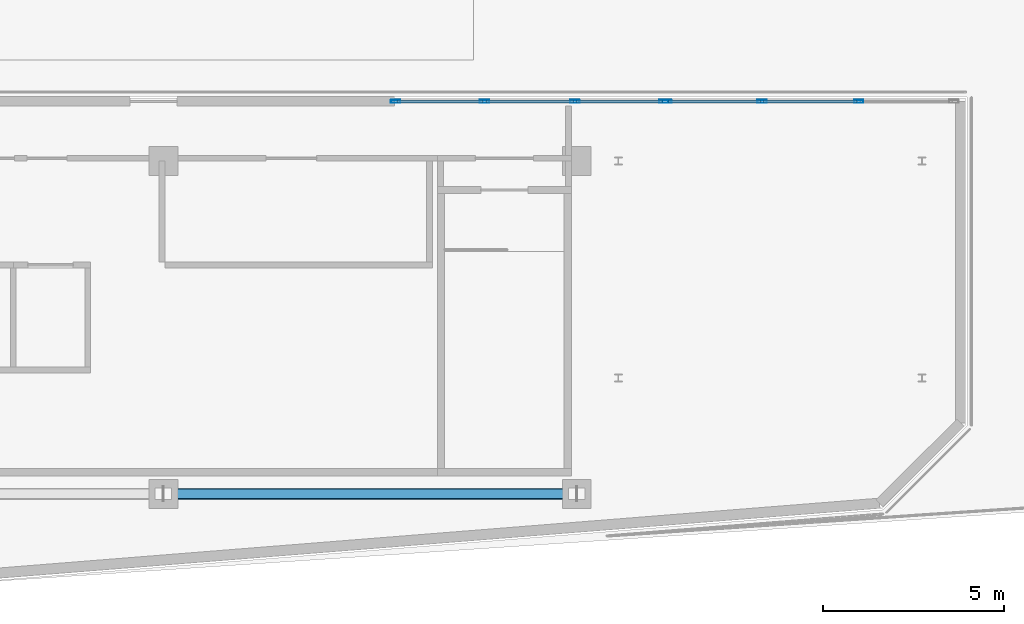
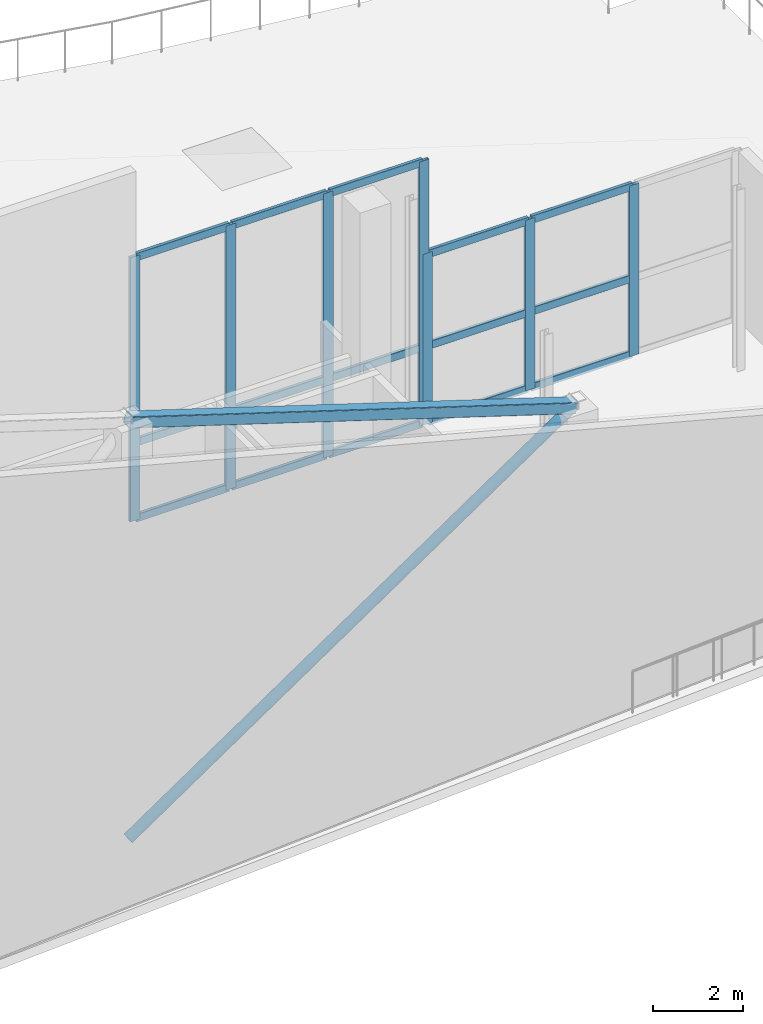
# One storey, part 4 of 9: 24 members, 2 elements without a shape of their own.
"""IFC4 building model written with IfcOpenShell, lengths in metres."""

from ifc_helpers import new_model, si_unit, direction, frame, origin, origin_2d, place, context, subcontext, project, spatial, hollow_rectangle, hollow_circle, extrude, material, layer, layer_set, material_profile, profile_set, type_object, element, aggregate, save


model = new_model("IFC4")

# Units and contexts
model_context = context("Model", 3, precision=1e-05, world=origin(), true_north=direction((0.0, 1.0)))
body_context = subcontext(model_context, "Body", "Model", "MODEL_VIEW")
ifc_project = project(units=[si_unit("LENGTHUNIT", "METRE"), si_unit("AREAUNIT", "SQUARE_METRE"), si_unit("VOLUMEUNIT", "CUBIC_METRE"), si_unit("PLANEANGLEUNIT", "RADIAN"), si_unit("MASSUNIT", "GRAM", prefix="KILO")], contexts=[model_context])

# Site, building, storey
site_placement = place(None, origin())
site = spatial("IfcSite", under=ifc_project, at=site_placement, CompositionType="ELEMENT")
building_placement = place(site_placement, origin())
building = spatial("IfcBuilding", under=site, at=building_placement, Name="Varnakote Quay Hospital", CompositionType="ELEMENT")
storey_placement = place(building_placement, frame((0.0, 0.0, 309.199951171875)))
storey = spatial("IfcBuildingStorey", under=building, at=storey_placement, Name="RF", CompositionType="ELEMENT", Elevation=309.199951171875)

# Curtain wall, members
ifc_material_1 = material(Name="Anodised aluminium 6063-T6 Bronze", Category="aluminium")
ifc_layer = layer(ifc_material_1, 0.25)
ifc_layer_set = layer_set([ifc_layer], Name="Anodised aluminium 6063-T6 Bronze")
curtain_wall_type = type_object("IfcCurtainWallType", Name="CW-SYS-6", PredefinedType="NOTDEFINED", material=ifc_layer_set)
curtain_wall_1_placement = place(storey_placement, origin())
curtain_wall_1 = element("IfcCurtainWall", 1, at=curtain_wall_1_placement, inside=storey, type_object=curtain_wall_type, Name="RF Slanted-Cut Crown Curtain Wall 150", PredefinedType="NOTDEFINED")
ifc_material_2 = material(Name="Anodised aluminium 6063-T6 Bronze", Category="aluminium")
ifc_material_profile_1 = material_profile(ifc_material_2, hollow_rectangle(XDim=0.0849609375, YDim=0.260009765625, WallThickness=0.0048828125, InnerFilletRadius=0.0048828125, OuterFilletRadius=0.010009765625, at=origin_2d()), Name="CW-MULL-260x85")
ifc_profile_set_1 = profile_set([ifc_material_profile_1], Name="Anodised aluminium 6063-T6 Bronze")
member_type_1 = type_object("IfcMemberType", Name="CW-MULL-260x85", PredefinedType="MULLION", material=ifc_profile_set_1)
member_1_placement = place(storey_placement, frame((19.04248046875, 13.64990234375, 0.0), z_axis=(0.0, 0.0, 1.0), x_axis=(0.0, 1.0, 0.0)))
member_1 = element("IfcMember", 2, at=member_1_placement, type_object=member_type_1, Name="CW6-RF-150 mullion 1", PredefinedType="MULLION", context=body_context, shape_type="SweptSolid", body=[
    extrude(hollow_rectangle(XDim=0.0849609375, YDim=0.260009765625, WallThickness=0.0048828125, InnerFilletRadius=0.0048828125, OuterFilletRadius=0.010009765625, at=origin_2d()), origin(), (0.0, 0.0, 1.0), 7.16357421875),
])
member_2_placement = place(storey_placement, frame((21.5, 13.64990234375, 0.0), z_axis=(0.0, 0.0, 1.0), x_axis=(0.0, 1.0, 0.0)))
member_2 = element("IfcMember", 3, at=member_2_placement, type_object=member_type_1, Name="CW6-RF-150 mullion 2", PredefinedType="MULLION", context=body_context, shape_type="SweptSolid", body=[
    extrude(hollow_rectangle(XDim=0.0849609375, YDim=0.260009765625, WallThickness=0.0048828125, InnerFilletRadius=0.0048828125, OuterFilletRadius=0.010009765625, at=origin_2d()), origin(), (0.0, 0.0, 1.0), 7.16357421875),
])
member_3_placement = place(storey_placement, frame((24.0, 13.64990234375, 0.0), z_axis=(0.0, 0.0, 1.0), x_axis=(0.0, 1.0, 0.0)))
member_3 = element("IfcMember", 4, at=member_3_placement, type_object=member_type_1, Name="CW6-RF-150 mullion 3", PredefinedType="MULLION", context=body_context, shape_type="SweptSolid", body=[
    extrude(hollow_rectangle(XDim=0.0849609375, YDim=0.260009765625, WallThickness=0.0048828125, InnerFilletRadius=0.0048828125, OuterFilletRadius=0.010009765625, at=origin_2d()), origin(), (0.0, 0.0, 1.0), 7.16357421875),
])
member_4_placement = place(storey_placement, frame((26.45751953125, 13.64990234375, 0.0), z_axis=(0.0, 0.0, 1.0), x_axis=(0.0, 1.0, 0.0)))
member_4 = element("IfcMember", 5, at=member_4_placement, type_object=member_type_1, Name="CW6-RF-150 mullion 4", PredefinedType="MULLION", context=body_context, shape_type="SweptSolid", body=[
    extrude(hollow_rectangle(XDim=0.0849609375, YDim=0.260009765625, WallThickness=0.0048828125, InnerFilletRadius=0.0048828125, OuterFilletRadius=0.010009765625, at=origin_2d()), origin(), (0.0, 0.0, 1.0), 7.16357421875),
])

curtain_wall_2_placement = place(storey_placement, origin())
curtain_wall_2 = element("IfcCurtainWall", 6, at=curtain_wall_2_placement, inside=storey, type_object=curtain_wall_type, Name="RF Slanted-Cut Crown Curtain Wall 151", PredefinedType="NOTDEFINED")
member_5_placement = place(storey_placement, frame((26.54248046875, 13.64990234375, 0.0), z_axis=(0.0, 0.0, 1.0), x_axis=(0.0, 1.0, 0.0)))
member_5 = element("IfcMember", 7, at=member_5_placement, type_object=member_type_1, Name="CW6-RF-151 mullion 1", PredefinedType="MULLION", context=body_context, shape_type="SweptSolid", body=[
    extrude(hollow_rectangle(XDim=0.0849609375, YDim=0.260009765625, WallThickness=0.0048828125, InnerFilletRadius=0.0048828125, OuterFilletRadius=0.010009765625, at=origin_2d()), origin(), (0.0, 0.0, 1.0), 4.628662109375),
])
member_6_placement = place(storey_placement, frame((29.17333984375, 13.64990234375, 0.0), z_axis=(0.0, 0.0, 1.0), x_axis=(0.0, 1.0, 0.0)))
member_6 = element("IfcMember", 8, at=member_6_placement, type_object=member_type_1, Name="CW6-RF-151 mullion 2", PredefinedType="MULLION", context=body_context, shape_type="SweptSolid", body=[
    extrude(hollow_rectangle(XDim=0.0849609375, YDim=0.260009765625, WallThickness=0.0048828125, InnerFilletRadius=0.0048828125, OuterFilletRadius=0.010009765625, at=origin_2d()), origin(), (0.0, 0.0, 1.0), 4.628662109375),
])
member_7_placement = place(storey_placement, frame((31.8466796875, 13.64990234375, 0.0), z_axis=(0.0, 0.0, 1.0), x_axis=(0.0, 1.0, 0.0)))
member_7 = element("IfcMember", 9, at=member_7_placement, type_object=member_type_1, Name="CW6-RF-151 mullion 3", PredefinedType="MULLION", context=body_context, shape_type="SweptSolid", body=[
    extrude(hollow_rectangle(XDim=0.0849609375, YDim=0.260009765625, WallThickness=0.0048828125, InnerFilletRadius=0.0048828125, OuterFilletRadius=0.010009765625, at=origin_2d()), origin(), (0.0, 0.0, 1.0), 4.628662109375),
])

# Member
ifc_material_3 = material(Name="Anodised aluminium 6063-T6 Bronze", Category="aluminium")
ifc_material_profile_2 = material_profile(ifc_material_3, hollow_rectangle(XDim=0.0849609375, YDim=0.2099609375, WallThickness=0.00439453125, InnerFilletRadius=0.00439453125, OuterFilletRadius=0.009033203125, at=origin_2d()), Name="CW-TRAN-210x85")
ifc_profile_set_2 = profile_set([ifc_material_profile_2], Name="Anodised aluminium 6063-T6 Bronze")
member_type_2 = type_object("IfcMemberType", Name="CW-TRAN-210x85", PredefinedType="USERDEFINED", material=ifc_profile_set_2)
member_8_placement = place(storey_placement, frame((19.0849609375, 13.64990234375, 0.04248046875), z_axis=(1.0, 0.0, 0.0), x_axis=(0.0, 1.0, 0.0)))
member_8 = element("IfcMember", 10, at=member_8_placement, type_object=member_type_2, Name="CW6-RF-150 transom 1.1", ObjectType="TRANSOM", PredefinedType="USERDEFINED", context=body_context, shape_type="SweptSolid", body=[
    extrude(hollow_rectangle(XDim=0.0849609375, YDim=0.2099609375, WallThickness=0.00439453125, InnerFilletRadius=0.00439453125, OuterFilletRadius=0.009033203125, at=origin_2d()), origin(), (0.0, 0.0, 1.0), 2.37255859375),
])

member_9_placement = place(storey_placement, frame((19.0849609375, 13.64990234375, 2.10009765625), z_axis=(1.0, 0.0, 0.0), x_axis=(0.0, 1.0, 0.0)))
member_9 = element("IfcMember", 11, at=member_9_placement, type_object=member_type_2, Name="CW6-RF-150 transom 1.2", ObjectType="TRANSOM", PredefinedType="USERDEFINED", context=body_context, shape_type="SweptSolid", body=[
    extrude(hollow_rectangle(XDim=0.0849609375, YDim=0.2099609375, WallThickness=0.00439453125, InnerFilletRadius=0.00439453125, OuterFilletRadius=0.009033203125, at=origin_2d()), origin(), (0.0, 0.0, 1.0), 2.37255859375),
])

member_10_placement = place(storey_placement, frame((19.0849609375, 13.64990234375, 7.12109375), z_axis=(1.0, 0.0, 0.0), x_axis=(0.0, 1.0, 0.0)))
member_10 = element("IfcMember", 12, at=member_10_placement, type_object=member_type_2, Name="CW6-RF-150 transom 1.3", ObjectType="TRANSOM", PredefinedType="USERDEFINED", context=body_context, shape_type="SweptSolid", body=[
    extrude(hollow_rectangle(XDim=0.0849609375, YDim=0.2099609375, WallThickness=0.00439453125, InnerFilletRadius=0.00439453125, OuterFilletRadius=0.009033203125, at=origin_2d()), origin(), (0.0, 0.0, 1.0), 2.37255859375),
])

member_11_placement = place(storey_placement, frame((21.54248046875, 13.64990234375, 0.04248046875), z_axis=(1.0, 0.0, 0.0), x_axis=(0.0, 1.0, 0.0)))
member_11 = element("IfcMember", 13, at=member_11_placement, type_object=member_type_2, Name="CW6-RF-150 transom 2.1", ObjectType="TRANSOM", PredefinedType="USERDEFINED", context=body_context, shape_type="SweptSolid", body=[
    extrude(hollow_rectangle(XDim=0.0849609375, YDim=0.2099609375, WallThickness=0.00439453125, InnerFilletRadius=0.00439453125, OuterFilletRadius=0.009033203125, at=origin_2d()), origin(), (0.0, 0.0, 1.0), 2.4150390625),
])

member_12_placement = place(storey_placement, frame((21.54248046875, 13.64990234375, 2.10009765625), z_axis=(1.0, 0.0, 0.0), x_axis=(0.0, 1.0, 0.0)))
member_12 = element("IfcMember", 14, at=member_12_placement, type_object=member_type_2, Name="CW6-RF-150 transom 2.2", ObjectType="TRANSOM", PredefinedType="USERDEFINED", context=body_context, shape_type="SweptSolid", body=[
    extrude(hollow_rectangle(XDim=0.0849609375, YDim=0.2099609375, WallThickness=0.00439453125, InnerFilletRadius=0.00439453125, OuterFilletRadius=0.009033203125, at=origin_2d()), origin(), (0.0, 0.0, 1.0), 2.4150390625),
])

member_13_placement = place(storey_placement, frame((21.54248046875, 13.64990234375, 7.12109375), z_axis=(1.0, 0.0, 0.0), x_axis=(0.0, 1.0, 0.0)))
member_13 = element("IfcMember", 15, at=member_13_placement, type_object=member_type_2, Name="CW6-RF-150 transom 2.3", ObjectType="TRANSOM", PredefinedType="USERDEFINED", context=body_context, shape_type="SweptSolid", body=[
    extrude(hollow_rectangle(XDim=0.0849609375, YDim=0.2099609375, WallThickness=0.00439453125, InnerFilletRadius=0.00439453125, OuterFilletRadius=0.009033203125, at=origin_2d()), origin(), (0.0, 0.0, 1.0), 2.4150390625),
])

member_14_placement = place(storey_placement, frame((24.04248046875, 13.64990234375, 0.04248046875), z_axis=(1.0, 0.0, 0.0), x_axis=(0.0, 1.0, 0.0)))
member_14 = element("IfcMember", 16, at=member_14_placement, type_object=member_type_2, Name="CW6-RF-150 transom 3.1", ObjectType="TRANSOM", PredefinedType="USERDEFINED", context=body_context, shape_type="SweptSolid", body=[
    extrude(hollow_rectangle(XDim=0.0849609375, YDim=0.2099609375, WallThickness=0.00439453125, InnerFilletRadius=0.00439453125, OuterFilletRadius=0.009033203125, at=origin_2d()), origin(), (0.0, 0.0, 1.0), 2.37255859375),
])

member_15_placement = place(storey_placement, frame((24.04248046875, 13.64990234375, 2.10009765625), z_axis=(1.0, 0.0, 0.0), x_axis=(0.0, 1.0, 0.0)))
member_15 = element("IfcMember", 17, at=member_15_placement, type_object=member_type_2, Name="CW6-RF-150 transom 3.2", ObjectType="TRANSOM", PredefinedType="USERDEFINED", context=body_context, shape_type="SweptSolid", body=[
    extrude(hollow_rectangle(XDim=0.0849609375, YDim=0.2099609375, WallThickness=0.00439453125, InnerFilletRadius=0.00439453125, OuterFilletRadius=0.009033203125, at=origin_2d()), origin(), (0.0, 0.0, 1.0), 2.37255859375),
])

member_16_placement = place(storey_placement, frame((24.04248046875, 13.64990234375, 7.12109375), z_axis=(1.0, 0.0, 0.0), x_axis=(0.0, 1.0, 0.0)))
member_16 = element("IfcMember", 18, at=member_16_placement, type_object=member_type_2, Name="CW6-RF-150 transom 3.3", ObjectType="TRANSOM", PredefinedType="USERDEFINED", context=body_context, shape_type="SweptSolid", body=[
    extrude(hollow_rectangle(XDim=0.0849609375, YDim=0.2099609375, WallThickness=0.00439453125, InnerFilletRadius=0.00439453125, OuterFilletRadius=0.009033203125, at=origin_2d()), origin(), (0.0, 0.0, 1.0), 2.37255859375),
])

aggregate(curtain_wall_1, [member_1, member_2, member_3, member_4, member_8, member_9, member_10, member_11, member_12, member_13, member_14, member_15, member_16])

member_17_placement = place(storey_placement, frame((26.5849609375, 13.64990234375, 0.04248046875), z_axis=(1.0, 0.0, 0.0), x_axis=(0.0, 1.0, 0.0)))
member_17 = element("IfcMember", 19, at=member_17_placement, type_object=member_type_2, Name="CW6-RF-151 transom 1.1", ObjectType="TRANSOM", PredefinedType="USERDEFINED", context=body_context, shape_type="SweptSolid", body=[
    extrude(hollow_rectangle(XDim=0.0849609375, YDim=0.2099609375, WallThickness=0.00439453125, InnerFilletRadius=0.00439453125, OuterFilletRadius=0.009033203125, at=origin_2d()), origin(), (0.0, 0.0, 1.0), 2.5458984375),
])

member_18_placement = place(storey_placement, frame((26.5849609375, 13.64990234375, 2.10009765625), z_axis=(1.0, 0.0, 0.0), x_axis=(0.0, 1.0, 0.0)))
member_18 = element("IfcMember", 20, at=member_18_placement, type_object=member_type_2, Name="CW6-RF-151 transom 1.2", ObjectType="TRANSOM", PredefinedType="USERDEFINED", context=body_context, shape_type="SweptSolid", body=[
    extrude(hollow_rectangle(XDim=0.0849609375, YDim=0.2099609375, WallThickness=0.00439453125, InnerFilletRadius=0.00439453125, OuterFilletRadius=0.009033203125, at=origin_2d()), origin(), (0.0, 0.0, 1.0), 2.5458984375),
])

member_19_placement = place(storey_placement, frame((26.5849609375, 13.64990234375, 4.5859375), z_axis=(1.0, 0.0, 0.0), x_axis=(0.0, 1.0, 0.0)))
member_19 = element("IfcMember", 21, at=member_19_placement, type_object=member_type_2, Name="CW6-RF-151 transom 1.3", ObjectType="TRANSOM", PredefinedType="USERDEFINED", context=body_context, shape_type="SweptSolid", body=[
    extrude(hollow_rectangle(XDim=0.0849609375, YDim=0.2099609375, WallThickness=0.00439453125, InnerFilletRadius=0.00439453125, OuterFilletRadius=0.009033203125, at=origin_2d()), origin(), (0.0, 0.0, 1.0), 2.5458984375),
])

member_20_placement = place(storey_placement, frame((29.2158203125, 13.64990234375, 0.04248046875), z_axis=(1.0, 0.0, 0.0), x_axis=(0.0, 1.0, 0.0)))
member_20 = element("IfcMember", 22, at=member_20_placement, type_object=member_type_2, Name="CW6-RF-151 transom 2.1", ObjectType="TRANSOM", PredefinedType="USERDEFINED", context=body_context, shape_type="SweptSolid", body=[
    extrude(hollow_rectangle(XDim=0.0849609375, YDim=0.2099609375, WallThickness=0.00439453125, InnerFilletRadius=0.00439453125, OuterFilletRadius=0.009033203125, at=origin_2d()), origin(), (0.0, 0.0, 1.0), 2.58837890625),
])

member_21_placement = place(storey_placement, frame((29.2158203125, 13.64990234375, 2.10009765625), z_axis=(1.0, 0.0, 0.0), x_axis=(0.0, 1.0, 0.0)))
member_21 = element("IfcMember", 23, at=member_21_placement, type_object=member_type_2, Name="CW6-RF-151 transom 2.2", ObjectType="TRANSOM", PredefinedType="USERDEFINED", context=body_context, shape_type="SweptSolid", body=[
    extrude(hollow_rectangle(XDim=0.0849609375, YDim=0.2099609375, WallThickness=0.00439453125, InnerFilletRadius=0.00439453125, OuterFilletRadius=0.009033203125, at=origin_2d()), origin(), (0.0, 0.0, 1.0), 2.58837890625),
])

member_22_placement = place(storey_placement, frame((29.2158203125, 13.64990234375, 4.5859375), z_axis=(1.0, 0.0, 0.0), x_axis=(0.0, 1.0, 0.0)))
member_22 = element("IfcMember", 24, at=member_22_placement, type_object=member_type_2, Name="CW6-RF-151 transom 2.3", ObjectType="TRANSOM", PredefinedType="USERDEFINED", context=body_context, shape_type="SweptSolid", body=[
    extrude(hollow_rectangle(XDim=0.0849609375, YDim=0.2099609375, WallThickness=0.00439453125, InnerFilletRadius=0.00439453125, OuterFilletRadius=0.009033203125, at=origin_2d()), origin(), (0.0, 0.0, 1.0), 2.58837890625),
])

aggregate(curtain_wall_2, [member_5, member_6, member_7, member_17, member_18, member_19, member_20, member_21, member_22])

# Members
ifc_material_4 = material(Name="Structural steel AS/NZS 1163 Grade 350 C350L0 (fy 350 MPa)", Category="steel")
ifc_material_profile_3 = material_profile(ifc_material_4, hollow_circle(Radius=0.136474609375, WallThickness=0.00927734375, at=origin_2d()), Name="273.1x9.3CHS")
ifc_profile_set_3 = profile_set([ifc_material_profile_3], Name="Structural steel AS/NZS 1163 Grade 350 C350L0 (fy 350 MPa)")
member_type_3 = type_object("IfcMemberType", Name="MBR-BRC-273-1x9-3CHS", PredefinedType="BRACE", material=ifc_profile_set_3)
member_23_placement = place(storey_placement, frame((12.6201171875, 2.800048828125, 0.179931640625), z_axis=(0.82774412879, 0.0, 0.561105745162), x_axis=(0.0, 1.0, 0.0)))
element("IfcMember", 25, at=member_23_placement, inside=storey, type_object=member_type_3, Name="Slanted-Cut CROWN FRAME Diagonal Brace", PredefinedType="BRACE", context=body_context, shape_type="SweptSolid", body=[
    extrude(hollow_circle(Radius=0.136474609375, WallThickness=0.00927734375, at=origin_2d()), origin(), (0.0, 0.0, 1.0), 13.80859375),
])
ifc_material_5 = material(Name="Structural steel AS/NZS 1163 Grade 350 C350L0 (fy 350 MPa)", Category="steel")
ifc_material_profile_4 = material_profile(ifc_material_5, hollow_rectangle(XDim=0.300048828125, YDim=0.300048828125, WallThickness=0.01611328125, InnerFilletRadius=0.01611328125, OuterFilletRadius=0.031982421875, at=origin_2d()), Name="300x300x16.0SHS")
ifc_profile_set_4 = profile_set([ifc_material_profile_4], Name="Structural steel AS/NZS 1163 Grade 350 C350L0 (fy 350 MPa)")
member_type_4 = type_object("IfcMemberType", Name="MBR-CHD-300x300x16-0SHS", PredefinedType="CHORD", material=ifc_profile_set_4)
member_24_placement = place(storey_placement, frame((12.6201171875, 2.800048828125, 11.541015625), z_axis=(0.953496748622, 0.0, -0.301403301853), x_axis=(0.0, 1.0, 0.0)))
element("IfcMember", 26, at=member_24_placement, inside=storey, type_object=member_type_4, Name="Slanted-Cut CROWN FRAME Raking Top Chord", PredefinedType="CHORD", context=body_context, shape_type="SweptSolid", body=[
    extrude(hollow_rectangle(XDim=0.300048828125, YDim=0.300048828125, WallThickness=0.01611328125, InnerFilletRadius=0.01611328125, OuterFilletRadius=0.031982421875, at=origin_2d()), origin(), (0.0, 0.0, 1.0), 11.9873046875),
])

save(model, "model.ifc")
